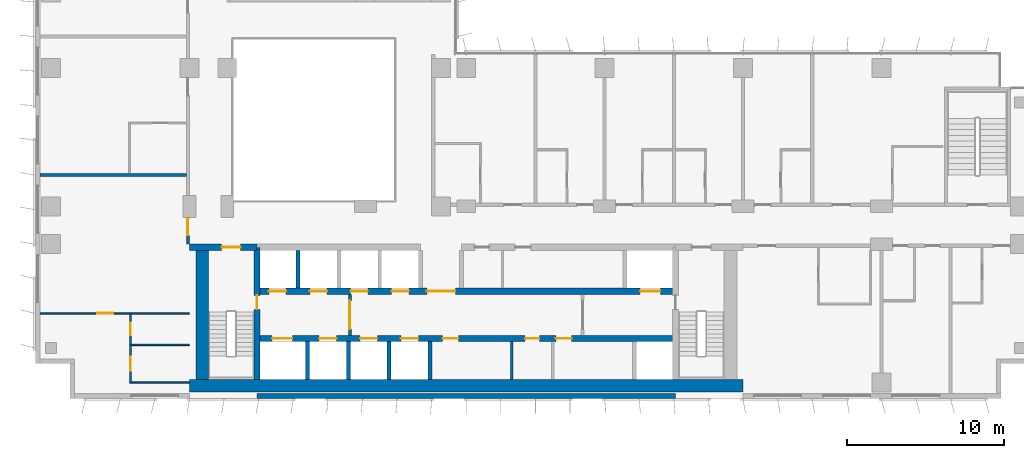
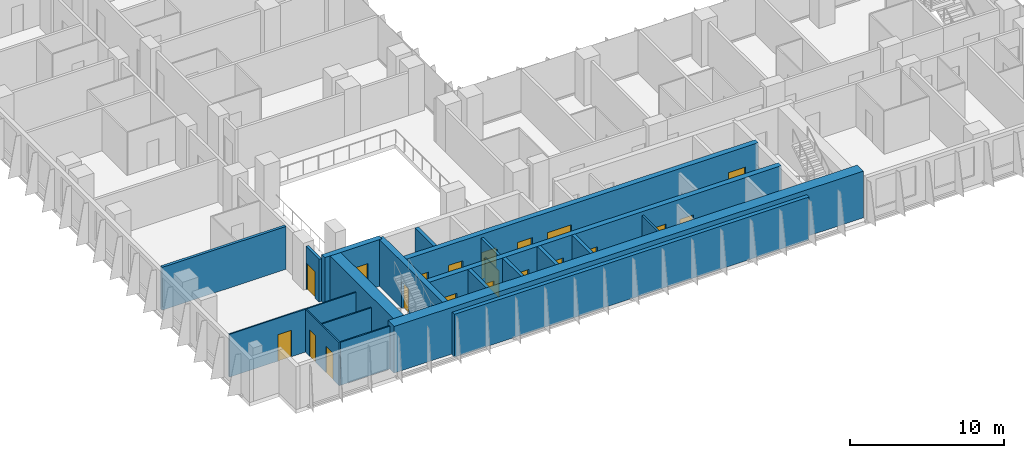
# One storey, part 12 of 23: 20 doors, 20 walls, 20 openings.
"""IFC4 building model written with IfcOpenShell, lengths in metres."""

from ifc_helpers import new_model, si_unit, direction, frame, frame_2d, origin, place, context, subcontext, project, spatial, rectangle, extrude, material, layer, layer_set, type_object, element, fill, save


model = new_model("IFC4")

# Units and contexts
model_context = context("Model", 3, precision=1e-05, world=origin(), true_north=direction((0.0, 1.0)))
body_context = subcontext(model_context, "Body", "Model", "MODEL_VIEW")
ifc_project = project(units=[si_unit("LENGTHUNIT", "METRE"), si_unit("AREAUNIT", "SQUARE_METRE"), si_unit("VOLUMEUNIT", "CUBIC_METRE"), si_unit("PLANEANGLEUNIT", "RADIAN"), si_unit("MASSUNIT", "GRAM", prefix="KILO")], contexts=[model_context])

# Site, building, storey
site_placement = place(None, origin())
site = spatial("IfcSite", under=ifc_project, at=site_placement, CompositionType="ELEMENT")
building_placement = place(site_placement, origin())
building = spatial("IfcBuilding", under=site, at=building_placement, Name="Kemantara Hotel Tower", CompositionType="ELEMENT")
storey_placement = place(building_placement, frame((0.0, 0.0, 142.0)))
storey = spatial("IfcBuildingStorey", under=building, at=storey_placement, Name="L34", CompositionType="ELEMENT", Elevation=142.0)

# Walls
ifc_material_1 = material(Name="Bronze anodised aluminium cladding on insulated steel stud wall", Category="steel")
ifc_layer_1 = layer(ifc_material_1, 0.300048828125)
ifc_layer_set_1 = layer_set([ifc_layer_1], Name="Bronze anodised aluminium cladding on insulated steel stud wall")
wall_type_1 = type_object("IfcWallType", Name="BRONZE METAL-CLAD EXTERNAL WALL 300", PredefinedType="STANDARD", material=ifc_layer_set_1)
wall_1_placement = place(storey_placement, frame((14.10009765625, 0.14990234375, 0.0), z_axis=(0.0, 0.0, 1.0), x_axis=(1.0, 0.0, 0.0)))
element("IfcWall", 1, at=wall_1_placement, inside=storey, type_object=wall_type_1, Name="EXTERNAL WALL L34 T2-R07-2", PredefinedType="STANDARD", context=body_context, shape_type="SweptSolid", body=[
    extrude(rectangle(XDim=26.599853515625, YDim=0.300048828125, at=frame_2d((13.2998046875, 0.0))), origin(), (0.0, 0.0, 1.0), 3.39990234375),
])
ifc_material_2 = material(Name="Concrete fc 60 MPa", Category="concrete")
ifc_layer_2 = layer(ifc_material_2, 0.25)
ifc_layer_set_2 = layer_set([ifc_layer_2], Name="Concrete fc 60 MPa")
wall_type_2 = type_object("IfcWallType", Name="CORE WALL 250 FC60", PredefinedType="SHEAR", material=ifc_layer_set_2)
for number, where, z_axis, x_axis, name in (
    (2, (17.300048828125, 1.199951171875, 0.0), (0.0, 0.0, 1.0), (0.0, 1.0, 0.0), "CORE WALL CW-DS17.3"),
    (3, (19.89990234375, 1.199951171875, 0.0), (0.0, 0.0, 1.0), (0.0, 1.0, 0.0), "CORE WALL CW-DS19.9"),
    (4, (22.5, 1.199951171875, 0.0), (0.0, 0.0, 1.0), (0.0, 1.0, 0.0), "CORE WALL CW-DS22.5"),
    (5, (25.10009765625, 1.199951171875, 0.0), (0.0, 0.0, 1.0), (0.0, 1.0, 0.0), "CORE WALL CW-DS25.1"),
):
    element("IfcWall", number, at=place(storey_placement, frame(where, z_axis=z_axis, x_axis=x_axis)), inside=storey, type_object=wall_type_2, Name=name, PredefinedType="SHEAR", context=body_context, shape_type="SweptSolid", body=[
        extrude(rectangle(XDim=2.400146484375, YDim=0.25, at=frame_2d((1.2001953125, 0.0))), origin(), (0.0, 0.0, 1.0), 3.699951171875),
    ])
wall_2_placement = place(storey_placement, frame((16.699951171875, 7.0, 0.0), z_axis=(0.0, 0.0, 1.0), x_axis=(0.0, 1.0, 0.0)))
element("IfcWall", 6, at=wall_2_placement, inside=storey, type_object=wall_type_2, Name="CORE WALL CW-DN16.7", PredefinedType="SHEAR", context=body_context, shape_type="SweptSolid", body=[
    extrude(rectangle(XDim=2.39990234375, YDim=0.25, at=frame_2d((1.199951171875, 0.0))), origin(), (0.0, 0.0, 1.0), 3.699951171875),
])

# Wall, opening, door
ifc_layer_3 = layer(ifc_material_2, 0.39990234375)
ifc_layer_set_3 = layer_set([ifc_layer_3], Name="Concrete fc 60 MPa")
wall_type_3 = type_object("IfcWallType", Name="CORE WALL 400 FC60", PredefinedType="SHEAR", material=ifc_layer_set_3)
wall_3_placement = place(storey_placement, frame((9.800048828125, 9.60009765625, 0.0), z_axis=(0.0, 0.0, 1.0), x_axis=(1.0, 0.0, 0.0)))
wall_3 = element("IfcWall", 7, at=wall_3_placement, inside=storey, type_object=wall_type_3, Name="CORE WALL CW-N1", PredefinedType="SHEAR", context=body_context, shape_type="SweptSolid", body=[
    extrude(rectangle(XDim=4.300048828125, YDim=0.39990234375, at=frame_2d((2.14990234375, 0.0))), origin(), (0.0, 0.0, 1.0), 3.699951171875),
])
opening_1_placement = place(wall_3_placement, frame((2.050048828125, 0.0, 0.0)))
opening_1 = element("IfcOpeningElement", 8, at=opening_1_placement, cuts=wall_3, Name="Opening C22-ST1-C", PredefinedType="OPENING", context=body_context, shape_type="SweptSolid", body=[
    extrude(rectangle(XDim=1.199951171875, YDim=2.10009765625, at=frame_2d((0.60009765625, 1.050048828125))), frame((0.0, 0.2099609375, 0.0), z_axis=(0.0, -1.0, 0.0), x_axis=(1.0, 0.0, 0.0)), (0.0, 0.0, 1.0), 0.419921875),
])
ifc_material_3 = material(Name="Steel fire door", Category="steel")
door_type_1 = type_object("IfcDoorType", Name="Fire door FD90 1200 x 2100", OperationType="NOTDEFINED", PredefinedType="DOOR", material=ifc_material_3)
door_1_placement = place(opening_1_placement, frame((1.199951171875, 0.0, 0.0), z_axis=(0.0, 0.0, 1.0), x_axis=(-1.0, 0.0, 0.0)))
door_1 = element("IfcDoor", 9, at=door_1_placement, inside=storey, type_object=door_type_1, Name="Stair ST1 door to corridor", OperationType="SINGLE_SWING_LEFT", OverallHeight=2.10009765625, OverallWidth=1.199951171875, PredefinedType="DOOR", context=body_context, shape_type="SweptSolid", body=[
    extrude(rectangle(XDim=1.199951171875, YDim=2.10009765625, at=frame_2d((0.60009765625, 1.050048828125))), frame((0.0, 0.02490234375, 0.0), z_axis=(0.0, -1.0, 0.0), x_axis=(1.0, 0.0, 0.0)), (0.0, 0.0, 1.0), 0.050048828125),
])
fill(opening_1, door_1)

# Wall, openings, doors
wall_4_placement = place(storey_placement, frame((14.10009765625, 3.800048828125, 0.0), z_axis=(0.0, 0.0, 1.0), x_axis=(1.0, 0.0, 0.0)))
wall_4 = element("IfcWall", 10, at=wall_4_placement, inside=storey, type_object=wall_type_3, Name="CORE WALL CW-L1", PredefinedType="SHEAR", context=body_context, shape_type="SweptSolid", body=[
    extrude(rectangle(XDim=26.599853515625, YDim=0.39990234375, at=frame_2d((13.2998046875, 0.0))), origin(), (0.0, 0.0, 1.0), 3.699951171875),
])
opening_2_placement = place(wall_4_placement, frame((0.949951171875, 0.0, 0.0)))
opening_2 = element("IfcOpeningElement", 11, at=opening_2_placement, cuts=wall_4, Name="Opening C22-LD-FF1", PredefinedType="OPENING", context=body_context, shape_type="SweptSolid", body=[
    extrude(rectangle(XDim=1.300048828125, YDim=2.10009765625, at=frame_2d((0.64990234375, 1.050048828125))), frame((0.0, 0.2099609375, 0.0), z_axis=(0.0, -1.0, 0.0), x_axis=(1.0, 0.0, 0.0)), (0.0, 0.0, 1.0), 0.419921875),
])
opening_3_placement = place(wall_4_placement, frame((3.949951171875, 0.0, 0.0)))
opening_3 = element("IfcOpeningElement", 12, at=opening_3_placement, cuts=wall_4, Name="Opening C22-LD-SV1", PredefinedType="OPENING", context=body_context, shape_type="SweptSolid", body=[
    extrude(rectangle(XDim=1.10009765625, YDim=2.10009765625, at=frame_2d((0.550048828125, 1.050048828125))), frame((0.0, 0.2099609375, 0.0), z_axis=(0.0, -1.0, 0.0), x_axis=(1.0, 0.0, 0.0)), (0.0, 0.0, 1.0), 0.419921875),
])
opening_4_placement = place(wall_4_placement, frame((6.550048828125, 0.0, 0.0)))
opening_4 = element("IfcOpeningElement", 13, at=opening_4_placement, cuts=wall_4, Name="Opening C22-LD-SV2", PredefinedType="OPENING", context=body_context, shape_type="SweptSolid", body=[
    extrude(rectangle(XDim=1.10009765625, YDim=2.10009765625, at=frame_2d((0.550048828125, 1.050048828125))), frame((0.0, 0.2099609375, 0.0), z_axis=(0.0, -1.0, 0.0), x_axis=(1.0, 0.0, 0.0)), (0.0, 0.0, 1.0), 0.419921875),
])
opening_5_placement = place(wall_4_placement, frame((9.14990234375, 0.0, 0.0)))
opening_5 = element("IfcOpeningElement", 14, at=opening_5_placement, cuts=wall_4, Name="Opening C22-LD-SV3", PredefinedType="OPENING", context=body_context, shape_type="SweptSolid", body=[
    extrude(rectangle(XDim=1.10009765625, YDim=2.10009765625, at=frame_2d((0.550048828125, 1.050048828125))), frame((0.0, 0.2099609375, 0.0), z_axis=(0.0, -1.0, 0.0), x_axis=(1.0, 0.0, 0.0)), (0.0, 0.0, 1.0), 0.419921875),
])
opening_6_placement = place(wall_4_placement, frame((11.800048828125, 0.0, 0.0)))
opening_6 = element("IfcOpeningElement", 15, at=opening_6_placement, cuts=wall_4, Name="Opening C22-R-SM1", PredefinedType="OPENING", context=body_context, shape_type="SweptSolid", body=[
    extrude(rectangle(XDim=1.0, YDim=2.10009765625, at=frame_2d((0.5, 1.050048828125))), frame((0.0, 0.2099609375, 0.0), z_axis=(0.0, -1.0, 0.0), x_axis=(1.0, 0.0, 0.0)), (0.0, 0.0, 1.0), 0.419921875),
])
opening_7_placement = place(wall_4_placement, frame((17.050048828125, 0.0, 0.0)))
opening_7 = element("IfcOpeningElement", 16, at=opening_7_placement, cuts=wall_4, Name="Opening C22-R-SM2", PredefinedType="OPENING", context=body_context, shape_type="SweptSolid", body=[
    extrude(rectangle(XDim=0.89990234375, YDim=2.10009765625, at=frame_2d((0.449951171875, 1.050048828125))), frame((0.0, 0.2099609375, 0.0), z_axis=(0.0, -1.0, 0.0), x_axis=(1.0, 0.0, 0.0)), (0.0, 0.0, 1.0), 0.419921875),
])
opening_8_placement = place(wall_4_placement, frame((19.0, 0.0, 0.0)))
opening_8 = element("IfcOpeningElement", 17, at=opening_8_placement, cuts=wall_4, Name="Opening C22-R-SM3", PredefinedType="OPENING", context=body_context, shape_type="SweptSolid", body=[
    extrude(rectangle(XDim=1.0, YDim=2.10009765625, at=frame_2d((0.5, 1.050048828125))), frame((0.0, 0.2099609375, 0.0), z_axis=(0.0, -1.0, 0.0), x_axis=(1.0, 0.0, 0.0)), (0.0, 0.0, 1.0), 0.419921875),
])
door_type_2 = type_object("IfcDoorType", Name="Fire door FD30S 1000 x 2100", OperationType="NOTDEFINED", PredefinedType="DOOR", material=ifc_material_3)
door_2_placement = place(opening_6_placement, frame((1.0, 0.0, 0.0), z_axis=(0.0, 0.0, 1.0), x_axis=(-1.0, 0.0, 0.0)))
door_2 = element("IfcDoor", 18, at=door_2_placement, inside=storey, type_object=door_type_2, Name="Luggage Store door", OperationType="SINGLE_SWING_RIGHT", OverallHeight=2.10009765625, OverallWidth=1.0, PredefinedType="DOOR", context=body_context, shape_type="SweptSolid", body=[
    extrude(rectangle(XDim=1.0, YDim=2.10009765625, at=frame_2d((0.5, 1.050048828125))), frame((0.0, 0.02490234375, 0.0), z_axis=(0.0, -1.0, 0.0), x_axis=(1.0, 0.0, 0.0)), (0.0, 0.0, 1.0), 0.050048828125),
])
fill(opening_6, door_2)
door_3_placement = place(opening_8_placement, frame((1.0, 0.0, 0.0), z_axis=(0.0, 0.0, 1.0), x_axis=(-1.0, 0.0, 0.0)))
door_3 = element("IfcDoor", 19, at=door_3_placement, inside=storey, type_object=door_type_2, Name="Staff Lounge door", OperationType="SINGLE_SWING_LEFT", OverallHeight=2.10009765625, OverallWidth=1.0, PredefinedType="DOOR", context=body_context, shape_type="SweptSolid", body=[
    extrude(rectangle(XDim=1.0, YDim=2.10009765625, at=frame_2d((0.5, 1.050048828125))), frame((0.0, 0.02490234375, 0.0), z_axis=(0.0, -1.0, 0.0), x_axis=(1.0, 0.0, 0.0)), (0.0, 0.0, 1.0), 0.050048828125),
])
fill(opening_8, door_3)
door_type_3 = type_object("IfcDoorType", Name="Fire door FD60 900 x 2100", OperationType="NOTDEFINED", PredefinedType="DOOR", material=ifc_material_3)
door_4_placement = place(opening_7_placement, frame((0.89990234375, 0.0, 0.0), z_axis=(0.0, 0.0, 1.0), x_axis=(-1.0, 0.0, 0.0)))
door_4 = element("IfcDoor", 20, at=door_4_placement, inside=storey, type_object=door_type_3, Name="Electrical Riser Room door", OperationType="SINGLE_SWING_LEFT", OverallHeight=2.10009765625, OverallWidth=0.89990234375, PredefinedType="DOOR", context=body_context, shape_type="SweptSolid", body=[
    extrude(rectangle(XDim=0.89990234375, YDim=2.10009765625, at=frame_2d((0.449951171875, 1.050048828125))), frame((0.0, 0.02490234375, 0.0), z_axis=(0.0, -1.0, 0.0), x_axis=(1.0, 0.0, 0.0)), (0.0, 0.0, 1.0), 0.050048828125),
])
fill(opening_7, door_4)
ifc_material_4 = material(Name="Stainless steel lift door", Category="steel")
door_type_4 = type_object("IfcDoorType", Name="Lift landing door 1100 x 2100 FD60", OperationType="DOUBLE_DOOR_SLIDING", PredefinedType="DOOR", material=ifc_material_4)
door_5_placement = place(opening_3_placement, origin())
door_5 = element("IfcDoor", 21, at=door_5_placement, inside=storey, type_object=door_type_4, Name="Lift SV1 landing door", OperationType="DOUBLE_DOOR_SLIDING", OverallHeight=2.10009765625, OverallWidth=1.10009765625, PredefinedType="DOOR", context=body_context, shape_type="SweptSolid", body=[
    extrude(rectangle(XDim=1.10009765625, YDim=2.10009765625, at=frame_2d((0.550048828125, 1.050048828125))), frame((0.0, 0.02490234375, 0.0), z_axis=(0.0, -1.0, 0.0), x_axis=(1.0, 0.0, 0.0)), (0.0, 0.0, 1.0), 0.050048828125),
])
fill(opening_3, door_5)
door_6_placement = place(opening_4_placement, origin())
door_6 = element("IfcDoor", 22, at=door_6_placement, inside=storey, type_object=door_type_4, Name="Lift SV2 landing door", OperationType="DOUBLE_DOOR_SLIDING", OverallHeight=2.10009765625, OverallWidth=1.10009765625, PredefinedType="DOOR", context=body_context, shape_type="SweptSolid", body=[
    extrude(rectangle(XDim=1.10009765625, YDim=2.10009765625, at=frame_2d((0.550048828125, 1.050048828125))), frame((0.0, 0.02490234375, 0.0), z_axis=(0.0, -1.0, 0.0), x_axis=(1.0, 0.0, 0.0)), (0.0, 0.0, 1.0), 0.050048828125),
])
fill(opening_4, door_6)
door_7_placement = place(opening_5_placement, origin())
door_7 = element("IfcDoor", 23, at=door_7_placement, inside=storey, type_object=door_type_4, Name="Lift SV3 landing door", OperationType="DOUBLE_DOOR_SLIDING", OverallHeight=2.10009765625, OverallWidth=1.10009765625, PredefinedType="DOOR", context=body_context, shape_type="SweptSolid", body=[
    extrude(rectangle(XDim=1.10009765625, YDim=2.10009765625, at=frame_2d((0.550048828125, 1.050048828125))), frame((0.0, 0.02490234375, 0.0), z_axis=(0.0, -1.0, 0.0), x_axis=(1.0, 0.0, 0.0)), (0.0, 0.0, 1.0), 0.050048828125),
])
fill(opening_5, door_7)
door_type_5 = type_object("IfcDoorType", Name="Lift landing door 1300 x 2100 FD90", OperationType="DOUBLE_DOOR_SLIDING", PredefinedType="DOOR", material=ifc_material_4)
door_8_placement = place(opening_2_placement, origin())
door_8 = element("IfcDoor", 24, at=door_8_placement, inside=storey, type_object=door_type_5, Name="Lift FF1 landing door", OperationType="DOUBLE_DOOR_SLIDING", OverallHeight=2.10009765625, OverallWidth=1.300048828125, PredefinedType="DOOR", context=body_context, shape_type="SweptSolid", body=[
    extrude(rectangle(XDim=1.300048828125, YDim=2.10009765625, at=frame_2d((0.64990234375, 1.050048828125))), frame((0.0, 0.02490234375, 0.0), z_axis=(0.0, -1.0, 0.0), x_axis=(1.0, 0.0, 0.0)), (0.0, 0.0, 1.0), 0.050048828125),
])
fill(opening_2, door_8)

wall_5_placement = place(storey_placement, frame((14.10009765625, 6.800048828125, 0.0), z_axis=(0.0, 0.0, 1.0), x_axis=(1.0, 0.0, 0.0)))
wall_5 = element("IfcWall", 25, at=wall_5_placement, inside=storey, type_object=wall_type_3, Name="CORE WALL CW-L2", PredefinedType="SHEAR", context=body_context, shape_type="SweptSolid", body=[
    extrude(rectangle(XDim=26.599853515625, YDim=0.39990234375, at=frame_2d((13.2998046875, 0.0))), origin(), (0.0, 0.0, 1.0), 3.699951171875),
])
opening_9_placement = place(wall_5_placement, frame((10.800048828125, 0.0, 0.0)))
opening_9 = element("IfcOpeningElement", 26, at=opening_9_placement, cuts=wall_5, Name="Opening C22-VL", PredefinedType="OPENING", context=body_context, shape_type="SweptSolid", body=[
    extrude(rectangle(XDim=1.800048828125, YDim=2.10009765625, at=frame_2d((0.89990234375, 1.050048828125))), frame((0.0, 0.2099609375, 0.0), z_axis=(0.0, -1.0, 0.0), x_axis=(1.0, 0.0, 0.0)), (0.0, 0.0, 1.0), 0.419921875),
])
opening_10_placement = place(wall_5_placement, frame((0.75, 0.0, 0.0)))
opening_10 = element("IfcOpeningElement", 27, at=opening_10_placement, cuts=wall_5, Name="Opening C22-LD-MR1", PredefinedType="OPENING", context=body_context, shape_type="SweptSolid", body=[
    extrude(rectangle(XDim=1.10009765625, YDim=2.10009765625, at=frame_2d((0.550048828125, 1.050048828125))), frame((0.0, 0.2099609375, 0.0), z_axis=(0.0, -1.0, 0.0), x_axis=(1.0, 0.0, 0.0)), (0.0, 0.0, 1.0), 0.419921875),
])
opening_11_placement = place(wall_5_placement, frame((3.35009765625, 0.0, 0.0)))
opening_11 = element("IfcOpeningElement", 28, at=opening_11_placement, cuts=wall_5, Name="Opening C22-LD-MR2", PredefinedType="OPENING", context=body_context, shape_type="SweptSolid", body=[
    extrude(rectangle(XDim=1.10009765625, YDim=2.10009765625, at=frame_2d((0.550048828125, 1.050048828125))), frame((0.0, 0.2099609375, 0.0), z_axis=(0.0, -1.0, 0.0), x_axis=(1.0, 0.0, 0.0)), (0.0, 0.0, 1.0), 0.419921875),
])
opening_12_placement = place(wall_5_placement, frame((5.949951171875, 0.0, 0.0)))
opening_12 = element("IfcOpeningElement", 29, at=opening_12_placement, cuts=wall_5, Name="Opening C22-LD-MR3", PredefinedType="OPENING", context=body_context, shape_type="SweptSolid", body=[
    extrude(rectangle(XDim=1.10009765625, YDim=2.10009765625, at=frame_2d((0.550048828125, 1.050048828125))), frame((0.0, 0.2099609375, 0.0), z_axis=(0.0, -1.0, 0.0), x_axis=(1.0, 0.0, 0.0)), (0.0, 0.0, 1.0), 0.419921875),
])
opening_13_placement = place(wall_5_placement, frame((8.550048828125, 0.0, 0.0)))
opening_13 = element("IfcOpeningElement", 30, at=opening_13_placement, cuts=wall_5, Name="Opening C22-LD-MR4", PredefinedType="OPENING", context=body_context, shape_type="SweptSolid", body=[
    extrude(rectangle(XDim=1.10009765625, YDim=2.10009765625, at=frame_2d((0.550048828125, 1.050048828125))), frame((0.0, 0.2099609375, 0.0), z_axis=(0.0, -1.0, 0.0), x_axis=(1.0, 0.0, 0.0)), (0.0, 0.0, 1.0), 0.419921875),
])
opening_14_placement = place(wall_5_placement, frame((24.35009765625, 0.0, 0.0)))
opening_14 = element("IfcOpeningElement", 31, at=opening_14_placement, cuts=wall_5, Name="Opening C22-LD-FF2", PredefinedType="OPENING", context=body_context, shape_type="SweptSolid", body=[
    extrude(rectangle(XDim=1.300048828125, YDim=2.10009765625, at=frame_2d((0.64990234375, 1.050048828125))), frame((0.0, 0.2099609375, 0.0), z_axis=(0.0, -1.0, 0.0), x_axis=(1.0, 0.0, 0.0)), (0.0, 0.0, 1.0), 0.419921875),
])
door_type_6 = type_object("IfcDoorType", Name="Fire door pair FD60 1800 x 2100", OperationType="DOUBLE_DOOR_SINGLE_SWING", PredefinedType="DOOR", material=ifc_material_3)
door_9_placement = place(opening_9_placement, frame((1.800048828125, 0.0, 0.0), z_axis=(0.0, 0.0, 1.0), x_axis=(-1.0, 0.0, 0.0)))
door_9 = element("IfcDoor", 32, at=door_9_placement, inside=storey, type_object=door_type_6, Name="Lift lobby entry door", OperationType="DOUBLE_DOOR_SINGLE_SWING", OverallHeight=2.10009765625, OverallWidth=1.800048828125, PredefinedType="DOOR", context=body_context, shape_type="SweptSolid", body=[
    extrude(rectangle(XDim=1.800048828125, YDim=2.10009765625, at=frame_2d((0.89990234375, 1.050048828125))), frame((0.0, 0.02490234375, 0.0), z_axis=(0.0, -1.0, 0.0), x_axis=(1.0, 0.0, 0.0)), (0.0, 0.0, 1.0), 0.050048828125),
])
fill(opening_9, door_9)
door_10_placement = place(opening_10_placement, origin())
door_10 = element("IfcDoor", 33, at=door_10_placement, inside=storey, type_object=door_type_4, Name="Lift MR1 landing door", OperationType="DOUBLE_DOOR_SLIDING", OverallHeight=2.10009765625, OverallWidth=1.10009765625, PredefinedType="DOOR", context=body_context, shape_type="SweptSolid", body=[
    extrude(rectangle(XDim=1.10009765625, YDim=2.10009765625, at=frame_2d((0.550048828125, 1.050048828125))), frame((0.0, 0.02490234375, 0.0), z_axis=(0.0, -1.0, 0.0), x_axis=(1.0, 0.0, 0.0)), (0.0, 0.0, 1.0), 0.050048828125),
])
fill(opening_10, door_10)
door_11_placement = place(opening_11_placement, origin())
door_11 = element("IfcDoor", 34, at=door_11_placement, inside=storey, type_object=door_type_4, Name="Lift MR2 landing door", OperationType="DOUBLE_DOOR_SLIDING", OverallHeight=2.10009765625, OverallWidth=1.10009765625, PredefinedType="DOOR", context=body_context, shape_type="SweptSolid", body=[
    extrude(rectangle(XDim=1.10009765625, YDim=2.10009765625, at=frame_2d((0.550048828125, 1.050048828125))), frame((0.0, 0.02490234375, 0.0), z_axis=(0.0, -1.0, 0.0), x_axis=(1.0, 0.0, 0.0)), (0.0, 0.0, 1.0), 0.050048828125),
])
fill(opening_11, door_11)
door_12_placement = place(opening_12_placement, origin())
door_12 = element("IfcDoor", 35, at=door_12_placement, inside=storey, type_object=door_type_4, Name="Lift MR3 landing door", OperationType="DOUBLE_DOOR_SLIDING", OverallHeight=2.10009765625, OverallWidth=1.10009765625, PredefinedType="DOOR", context=body_context, shape_type="SweptSolid", body=[
    extrude(rectangle(XDim=1.10009765625, YDim=2.10009765625, at=frame_2d((0.550048828125, 1.050048828125))), frame((0.0, 0.02490234375, 0.0), z_axis=(0.0, -1.0, 0.0), x_axis=(1.0, 0.0, 0.0)), (0.0, 0.0, 1.0), 0.050048828125),
])
fill(opening_12, door_12)
door_13_placement = place(opening_13_placement, origin())
door_13 = element("IfcDoor", 36, at=door_13_placement, inside=storey, type_object=door_type_4, Name="Lift MR4 landing door", OperationType="DOUBLE_DOOR_SLIDING", OverallHeight=2.10009765625, OverallWidth=1.10009765625, PredefinedType="DOOR", context=body_context, shape_type="SweptSolid", body=[
    extrude(rectangle(XDim=1.10009765625, YDim=2.10009765625, at=frame_2d((0.550048828125, 1.050048828125))), frame((0.0, 0.02490234375, 0.0), z_axis=(0.0, -1.0, 0.0), x_axis=(1.0, 0.0, 0.0)), (0.0, 0.0, 1.0), 0.050048828125),
])
fill(opening_13, door_13)
door_14_placement = place(opening_14_placement, origin())
door_14 = element("IfcDoor", 37, at=door_14_placement, inside=storey, type_object=door_type_5, Name="Lift FF2 landing door", OperationType="DOUBLE_DOOR_SLIDING", OverallHeight=2.10009765625, OverallWidth=1.300048828125, PredefinedType="DOOR", context=body_context, shape_type="SweptSolid", body=[
    extrude(rectangle(XDim=1.300048828125, YDim=2.10009765625, at=frame_2d((0.64990234375, 1.050048828125))), frame((0.0, 0.02490234375, 0.0), z_axis=(0.0, -1.0, 0.0), x_axis=(1.0, 0.0, 0.0)), (0.0, 0.0, 1.0), 0.050048828125),
])
fill(opening_14, door_14)

# Wall, opening, door
wall_6_placement = place(storey_placement, frame((14.10009765625, 1.199951171875, 0.0), z_axis=(0.0, 0.0, 1.0), x_axis=(0.0, 1.0, 0.0)))
wall_6 = element("IfcWall", 38, at=wall_6_placement, inside=storey, type_object=wall_type_3, Name="CORE WALL CW-ST1E", PredefinedType="SHEAR", context=body_context, shape_type="SweptSolid", body=[
    extrude(rectangle(XDim=8.400146484375, YDim=0.39990234375, at=frame_2d((4.2001953125, 0.0))), origin(), (0.0, 0.0, 1.0), 3.699951171875),
])
opening_15_placement = place(wall_6_placement, frame((4.449951171875, 0.0, 0.0)))
opening_15 = element("IfcOpeningElement", 39, at=opening_15_placement, cuts=wall_6, Name="Opening C22-ST1-F", PredefinedType="OPENING", context=body_context, shape_type="SweptSolid", body=[
    extrude(rectangle(XDim=0.89990234375, YDim=2.10009765625, at=frame_2d((0.449951171875, 1.050048828125))), frame((0.0, 0.2099609375, 0.0), z_axis=(0.0, -1.0, 0.0), x_axis=(1.0, 0.0, 0.0)), (0.0, 0.0, 1.0), 0.419921875),
])
door_type_7 = type_object("IfcDoorType", Name="Fire door FD90 900 x 2100", OperationType="NOTDEFINED", PredefinedType="DOOR", material=ifc_material_3)
door_15_placement = place(opening_15_placement, origin())
door_15 = element("IfcDoor", 40, at=door_15_placement, inside=storey, type_object=door_type_7, Name="Stair ST1 door to firefighting lobby", OperationType="SINGLE_SWING_RIGHT", OverallHeight=2.10009765625, OverallWidth=0.89990234375, PredefinedType="DOOR", context=body_context, shape_type="SweptSolid", body=[
    extrude(rectangle(XDim=0.89990234375, YDim=2.10009765625, at=frame_2d((0.449951171875, 1.050048828125))), frame((0.0, 0.02490234375, 0.0), z_axis=(0.0, -1.0, 0.0), x_axis=(1.0, 0.0, 0.0)), (0.0, 0.0, 1.0), 0.050048828125),
])
fill(opening_15, door_15)

# Walls
ifc_layer_4 = layer(ifc_material_2, 0.800048828125)
ifc_layer_set_4 = layer_set([ifc_layer_4], Name="Concrete fc 60 MPa")
wall_type_4 = type_object("IfcWallType", Name="CORE WALL 800 FC60", PredefinedType="SHEAR", material=ifc_layer_set_4)
wall_7_placement = place(storey_placement, frame((9.800048828125, 0.800048828125, 0.0), z_axis=(0.0, 0.0, 1.0), x_axis=(1.0, 0.0, 0.0)))
element("IfcWall", 41, at=wall_7_placement, inside=storey, type_object=wall_type_4, Name="CORE WALL CW-S", PredefinedType="SHEAR", context=body_context, shape_type="SweptSolid", body=[
    extrude(rectangle(XDim=35.199951171875, YDim=0.800048828125, at=frame_2d((17.60009765625, 0.0))), origin(), (0.0, 0.0, 1.0), 3.699951171875),
])
wall_8_placement = place(storey_placement, frame((10.60009765625, 1.199951171875, 0.0), z_axis=(0.0, 0.0, 1.0), x_axis=(0.0, 1.0, 0.0)))
element("IfcWall", 42, at=wall_8_placement, inside=storey, type_object=wall_type_4, Name="CORE WALL CW-W", PredefinedType="SHEAR", context=body_context, shape_type="SweptSolid", body=[
    extrude(rectangle(XDim=8.60009765625, YDim=0.800048828125, at=frame_2d((4.300048828125, 0.0))), origin(), (0.0, 0.0, 1.0), 3.699951171875),
])

# Wall, opening, door
ifc_material_5 = material(Name="Gypsum board partition, steel studs and mineral wool, 200 mm", Category="steel")
ifc_layer_5 = layer(ifc_material_5, 0.199951171875)
ifc_layer_set_5 = layer_set([ifc_layer_5], Name="Gypsum board partition, steel studs and mineral wool, 200 mm")
wall_type_5 = type_object("IfcWallType", Name="CORRIDOR WALL 200", PredefinedType="PARTITIONING", material=ifc_layer_set_5)
wall_9_placement = place(storey_placement, frame((9.699951171875, 9.800048828125, 0.0), z_axis=(0.0, 0.0, 1.0), x_axis=(0.0, 1.0, 0.0)))
wall_9 = element("IfcWall", 43, at=wall_9_placement, inside=storey, type_object=wall_type_5, Name="CORRIDOR WALL 200 017", PredefinedType="PARTITIONING", context=body_context, shape_type="SweptSolid", body=[
    extrude(rectangle(XDim=1.699951171875, YDim=0.199951171875, at=frame_2d((0.85009765625, 0.0))), origin(), (0.0, 0.0, 1.0), 3.39990234375),
])
opening_16_placement = place(wall_9_placement, frame((0.550048828125, 0.0, 0.0)))
opening_16 = element("IfcOpeningElement", 44, at=opening_16_placement, cuts=wall_9, Name="Opening F15-019", PredefinedType="OPENING", context=body_context, shape_type="SweptSolid", body=[
    extrude(rectangle(XDim=1.10009765625, YDim=2.10009765625, at=frame_2d((0.550048828125, 1.050048828125))), frame((0.0, 0.10986328125, 0.0), z_axis=(0.0, -1.0, 0.0), x_axis=(1.0, 0.0, 0.0)), (0.0, 0.0, 1.0), 0.219970703125),
])
ifc_material_6 = material(Name="Hardwood veneer door leaf with steel frame", Category="steel")
door_type_8 = type_object("IfcDoorType", Name="SUITE ENTRANCE DOOR 1100 X 2100 FD30S", OperationType="NOTDEFINED", PredefinedType="DOOR", material=ifc_material_6)
door_16_placement = place(opening_16_placement, origin())
door_16 = element("IfcDoor", 45, at=door_16_placement, inside=storey, type_object=door_type_8, Name="SUITE ENTRANCE DOOR F15-019", OperationType="SINGLE_SWING_RIGHT", OverallHeight=2.10009765625, OverallWidth=1.10009765625, PredefinedType="DOOR", context=body_context, shape_type="SweptSolid", body=[
    extrude(rectangle(XDim=1.10009765625, YDim=2.10009765625, at=frame_2d((0.550048828125, 1.050048828125))), frame((0.0, 0.02490234375, 0.0), z_axis=(0.0, -1.0, 0.0), x_axis=(1.0, 0.0, 0.0)), (0.0, 0.0, 1.0), 0.050048828125),
])
fill(opening_16, door_16)

# Walls
ifc_layer_6 = layer(ifc_material_5, 0.199951171875)
ifc_layer_set_6 = layer_set([ifc_layer_6], Name="Gypsum board partition, steel studs and mineral wool, 200 mm")
wall_type_6 = type_object("IfcWallType", Name="GUEST ROOM PARTY WALL 200", PredefinedType="PARTITIONING", material=ifc_layer_set_6)
wall_10_placement = place(storey_placement, frame((0.31005859375, 14.199951171875, 0.0), z_axis=(0.0, 0.0, 1.0), x_axis=(1.0, 0.0, 0.0)))
element("IfcWall", 46, at=wall_10_placement, inside=storey, type_object=wall_type_6, Name="GUEST ROOM PARTY WALL 200 026", PredefinedType="PARTITIONING", context=body_context, shape_type="SweptSolid", body=[
    extrude(rectangle(XDim=9.2900390625, YDim=0.199951171875, at=frame_2d((4.64501953125, 0.0))), origin(), (0.0, 0.0, 1.0), 3.39990234375),
])
ifc_material_7 = material(Name="Gypsum board partition")
ifc_layer_7 = layer(ifc_material_7, 0.14990234375)
ifc_layer_set_7 = layer_set([ifc_layer_7], Name="Gypsum board partition")
wall_type_7 = type_object("IfcWallType", Name="Gypsum board partition 150 mm", PredefinedType="PARTITIONING", material=ifc_layer_set_7)
wall_11_placement = place(storey_placement, frame((30.300048828125, 1.199951171875, 0.0), z_axis=(0.0, 0.0, 1.0), x_axis=(0.0, 1.0, 0.0)))
element("IfcWall", 47, at=wall_11_placement, inside=storey, type_object=wall_type_7, Name="Core room partition", PredefinedType="PARTITIONING", context=body_context, shape_type="SweptSolid", body=[
    extrude(rectangle(XDim=2.400146484375, YDim=0.14990234375, at=frame_2d((1.2001953125, 0.0))), origin(), (0.0, 0.0, 1.0), 3.39990234375),
])

# Wall, opening, door
ifc_material_8 = material(Name="Gypsum board shaft wall")
ifc_layer_8 = layer(ifc_material_8, 0.199951171875)
ifc_layer_set_8 = layer_set([ifc_layer_8], Name="Gypsum board shaft wall")
wall_type_8 = type_object("IfcWallType", Name="Gypsum board shaft wall 200 mm", PredefinedType="PARTITIONING", material=ifc_layer_set_8)
wall_12_placement = place(storey_placement, frame((20.0, 4.0, 0.0), z_axis=(0.0, 0.0, 1.0), x_axis=(0.0, 1.0, 0.0)))
wall_12 = element("IfcWall", 48, at=wall_12_placement, inside=storey, type_object=wall_type_8, Name="Firefighting lobby partition west", PredefinedType="PARTITIONING", context=body_context, shape_type="SweptSolid", body=[
    extrude(rectangle(XDim=2.60009765625, YDim=0.199951171875, at=frame_2d((1.300048828125, 0.0))), origin(), (0.0, 0.0, 1.0), 3.39990234375),
])
opening_17_placement = place(wall_12_placement, frame((0.39990234375, 0.0, 0.0)))
opening_17 = element("IfcOpeningElement", 49, at=opening_17_placement, cuts=wall_12, Name="Opening C22-FFW", PredefinedType="OPENING", context=body_context, shape_type="SweptSolid", body=[
    extrude(rectangle(XDim=1.800048828125, YDim=2.10009765625, at=frame_2d((0.89990234375, 1.050048828125))), frame((0.0, 0.10986328125, 0.0), z_axis=(0.0, -1.0, 0.0), x_axis=(1.0, 0.0, 0.0)), (0.0, 0.0, 1.0), 0.219970703125),
])
door_17_placement = place(opening_17_placement, origin())
door_17 = element("IfcDoor", 50, at=door_17_placement, inside=storey, type_object=door_type_6, Name="Firefighting lobby door west", OperationType="DOUBLE_DOOR_SINGLE_SWING", OverallHeight=2.10009765625, OverallWidth=1.800048828125, PredefinedType="DOOR", context=body_context, shape_type="SweptSolid", body=[
    extrude(rectangle(XDim=1.800048828125, YDim=2.10009765625, at=frame_2d((0.89990234375, 1.050048828125))), frame((0.0, 0.02490234375, 0.0), z_axis=(0.0, -1.0, 0.0), x_axis=(1.0, 0.0, 0.0)), (0.0, 0.0, 1.0), 0.050048828125),
])
fill(opening_17, door_17)

# Wall, openings, doors
ifc_material_9 = material(Name="Gypsum board partition on steel studs, 100 mm", Category="steel")
ifc_layer_9 = layer(ifc_material_9, 0.10009765625)
ifc_layer_set_9 = layer_set([ifc_layer_9], Name="Gypsum board partition on steel studs, 100 mm")
wall_type_9 = type_object("IfcWallType", Name="ROOM PARTITION 100", PredefinedType="PARTITIONING", material=ifc_layer_set_9)
wall_13_placement = place(storey_placement, frame((6.050048828125, 5.35009765625, 0.0), z_axis=(0.0, 0.0, 1.0), x_axis=(0.0, -1.0, 0.0)))
wall_13 = element("IfcWall", 51, at=wall_13_placement, inside=storey, type_object=wall_type_9, Name="ROOM PARTITION 100 070", PredefinedType="PARTITIONING", context=body_context, shape_type="SweptSolid", body=[
    extrude(rectangle(XDim=4.400146484375, YDim=0.10009765625, at=frame_2d((2.2001953125, 0.0))), origin(), (0.0, 0.0, 1.0), 3.39990234375),
])
opening_18_placement = place(wall_13_placement, frame((2.699951171875, 0.0, 0.0)))
opening_18 = element("IfcOpeningElement", 52, at=opening_18_placement, cuts=wall_13, Name="Opening F15-021", PredefinedType="OPENING", context=body_context, shape_type="SweptSolid", body=[
    extrude(rectangle(XDim=0.89990234375, YDim=2.10009765625, at=frame_2d((0.449951171875, 1.050048828125))), frame((0.0, 0.06005859375, 0.0), z_axis=(0.0, -1.0, 0.0), x_axis=(1.0, 0.0, 0.0)), (0.0, 0.0, 1.0), 0.1201171875),
])
opening_19_placement = place(wall_13_placement, frame((0.550048828125, 0.0, 0.0)))
opening_19 = element("IfcOpeningElement", 53, at=opening_19_placement, cuts=wall_13, Name="Opening F15-022", PredefinedType="OPENING", context=body_context, shape_type="SweptSolid", body=[
    extrude(rectangle(XDim=0.800048828125, YDim=2.10009765625, at=frame_2d((0.39990234375, 1.050048828125))), frame((0.0, 0.06005859375, 0.0), z_axis=(0.0, -1.0, 0.0), x_axis=(1.0, 0.0, 0.0)), (0.0, 0.0, 1.0), 0.1201171875),
])
door_type_9 = type_object("IfcDoorType", Name="BATHROOM DOOR 900 X 2100", OperationType="NOTDEFINED", PredefinedType="DOOR", material=ifc_material_6)
door_18_placement = place(opening_18_placement, origin())
door_18 = element("IfcDoor", 54, at=door_18_placement, inside=storey, type_object=door_type_9, Name="BATHROOM DOOR F15-021", OperationType="SINGLE_SWING_LEFT", OverallHeight=2.10009765625, OverallWidth=0.89990234375, PredefinedType="DOOR", context=body_context, shape_type="SweptSolid", body=[
    extrude(rectangle(XDim=0.89990234375, YDim=2.10009765625, at=frame_2d((0.449951171875, 1.050048828125))), frame((0.0, 0.02490234375, 0.0), z_axis=(0.0, -1.0, 0.0), x_axis=(1.0, 0.0, 0.0)), (0.0, 0.0, 1.0), 0.050048828125),
])
fill(opening_18, door_18)
door_type_10 = type_object("IfcDoorType", Name="WARDROBE DOOR 800 X 2100", OperationType="NOTDEFINED", PredefinedType="DOOR", material=ifc_material_6)
door_19_placement = place(opening_19_placement, origin())
door_19 = element("IfcDoor", 55, at=door_19_placement, inside=storey, type_object=door_type_10, Name="WARDROBE DOOR F15-022", OperationType="SINGLE_SWING_LEFT", OverallHeight=2.10009765625, OverallWidth=0.800048828125, PredefinedType="DOOR", context=body_context, shape_type="SweptSolid", body=[
    extrude(rectangle(XDim=0.800048828125, YDim=2.10009765625, at=frame_2d((0.39990234375, 1.050048828125))), frame((0.0, 0.02490234375, 0.0), z_axis=(0.0, -1.0, 0.0), x_axis=(1.0, 0.0, 0.0)), (0.0, 0.0, 1.0), 0.050048828125),
])
fill(opening_19, door_19)

# Wall, opening, door
wall_14_placement = place(storey_placement, frame((9.7998046875, 5.39990234375, 0.0), z_axis=(0.0, 0.0, 1.0), x_axis=(-1.0, 0.0, 0.0)))
wall_14 = element("IfcWall", 56, at=wall_14_placement, inside=storey, type_object=wall_type_9, Name="ROOM PARTITION 100 072", PredefinedType="PARTITIONING", context=body_context, shape_type="SweptSolid", body=[
    extrude(rectangle(XDim=9.48974609375, YDim=0.10009765625, at=frame_2d((4.744873046875, 0.0))), origin(), (0.0, 0.0, 1.0), 3.39990234375),
])
opening_20_placement = place(wall_14_placement, frame((4.849853515625, 0.0, 0.0)))
opening_20 = element("IfcOpeningElement", 57, at=opening_20_placement, cuts=wall_14, Name="Opening F15-020", PredefinedType="OPENING", context=body_context, shape_type="SweptSolid", body=[
    extrude(rectangle(XDim=1.0, YDim=2.10009765625, at=frame_2d((0.5, 1.050048828125))), frame((0.0, 0.06005859375, 0.0), z_axis=(0.0, -1.0, 0.0), x_axis=(1.0, 0.0, 0.0)), (0.0, 0.0, 1.0), 0.1201171875),
])
door_type_11 = type_object("IfcDoorType", Name="INTERNAL DOOR 1000 X 2100", OperationType="NOTDEFINED", PredefinedType="DOOR", material=ifc_material_6)
door_20_placement = place(opening_20_placement, origin())
door_20 = element("IfcDoor", 58, at=door_20_placement, inside=storey, type_object=door_type_11, Name="INTERNAL DOOR F15-020", OperationType="SINGLE_SWING_LEFT", OverallHeight=2.10009765625, OverallWidth=1.0, PredefinedType="DOOR", context=body_context, shape_type="SweptSolid", body=[
    extrude(rectangle(XDim=1.0, YDim=2.10009765625, at=frame_2d((0.5, 1.050048828125))), frame((0.0, 0.02490234375, 0.0), z_axis=(0.0, -1.0, 0.0), x_axis=(1.0, 0.0, 0.0)), (0.0, 0.0, 1.0), 0.050048828125),
])
fill(opening_20, door_20)

# Walls
for number, where, z_axis, x_axis, name in (
    (59, (6.10009765625, 1.0, 0.0), (0.0, 0.0, 1.0), (1.0, 0.0, 0.0), "ROOM PARTITION 100 073"),
    (60, (6.10009765625, 3.39990234375, 0.0), (0.0, 0.0, 1.0), (1.0, 0.0, 0.0), "ROOM PARTITION 100 074"),
):
    element("IfcWall", number, at=place(storey_placement, frame(where, z_axis=z_axis, x_axis=x_axis)), inside=storey, type_object=wall_type_9, Name=name, PredefinedType="PARTITIONING", context=body_context, shape_type="SweptSolid", body=[
        extrude(rectangle(XDim=3.69970703125, YDim=0.10009765625, at=frame_2d((1.849853515625, 0.0))), origin(), (0.0, 0.0, 1.0), 3.39990234375),
    ])

save(model, "model.ifc")
